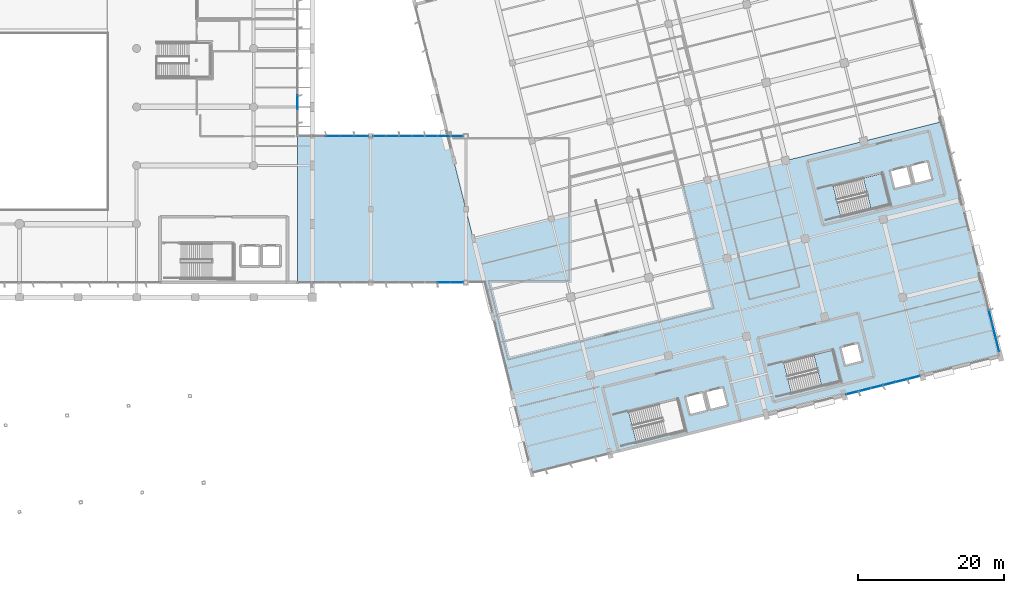
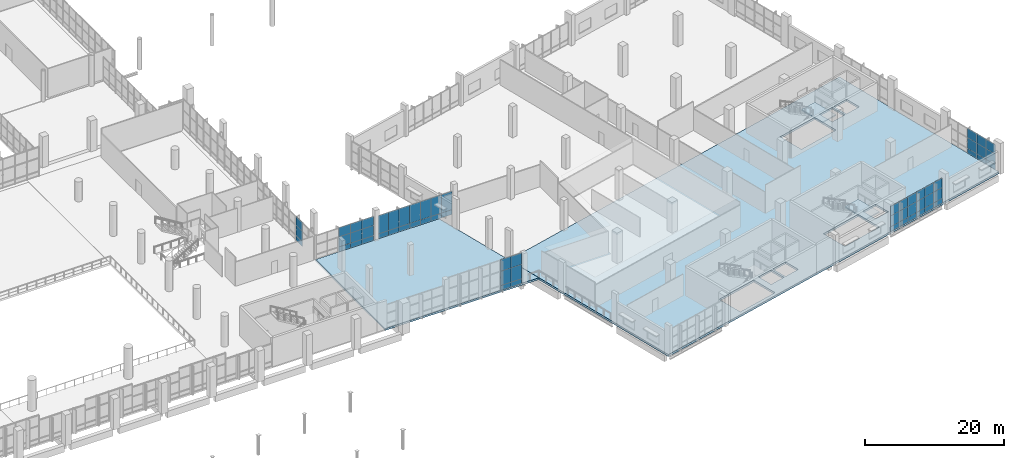
# One storey, part 128 of 176: 59 plates, 4 slabs, 8 elements without a shape of their own.
"""IFC4 building model written with IfcOpenShell, lengths in metres."""

import ifcopenshell
import ifcopenshell.guid

model = None  # the IFC model being written
_history = None  # IfcOwnerHistory: only IFC2X3 demands one
_inside = {}  # id of a spatial element -> (the spatial element, [elements in it])
_under = {}  # id of a project, library or spatial element -> (it, [spatial elements below it])
_declared = {}  # id of a project -> (the project, [libraries it declares])
_typed = {}  # id of a type object -> (the type object, [elements of that type])
_made_of = {}  # id of a material, layer set ... -> (it, [elements and type objects made of it])


def new_model(schema):
    """Start an empty IFC model of exactly this schema.

    Asked for "IFC4X3", IfcOpenShell would pick the latest addendum, in which some entities
    have other attributes; the version numbers below select the first issue.
    IFC2X3 requires an IfcOwnerHistory on every rooted entity: one is made here for all.
    """
    global model, _history
    if schema == "IFC4X3":
        model = ifcopenshell.file(schema_version=(4, 3, 0, 0))
    else:
        model = ifcopenshell.file(schema=schema)
    _inside.clear()
    _under.clear()
    _declared.clear()
    _typed.clear()
    _made_of.clear()
    _history = None
    if model.schema == "IFC2X3":
        org = make("IfcOrganization", Name="unknown")
        user = make(
            "IfcPersonAndOrganization",
            ThePerson=make("IfcPerson", FamilyName="unknown"),
            TheOrganization=org,
        )
        app = make(
            "IfcApplication",
            ApplicationDeveloper=org,
            Version="unknown",
            ApplicationFullName="unknown",
            ApplicationIdentifier="unknown",
        )
        _history = make(
            "IfcOwnerHistory",
            OwningUser=user,
            OwningApplication=app,
            ChangeAction="ADDED",
            CreationDate=0,
        )
    return model


def make(cls, **values):
    """One entity of the class cls with the attributes given. An attribute that is None is left unset."""
    return model.create_entity(
        cls, **{name: value for name, value in values.items() if value is not None}
    )


def rooted(cls, **values):
    """An entity with a GlobalId (a new one), such as an element, a storey or a relation."""
    return make(cls, GlobalId=ifcopenshell.guid.new(), OwnerHistory=_history, **values)


def si_unit(unit_type, name, prefix=None):
    """IfcSIUnit, for example si_unit("LENGTHUNIT", "METRE", prefix="MILLI")."""
    return make("IfcSIUnit", UnitType=unit_type, Prefix=prefix, Name=name)


def assignment(units):
    """IfcUnitAssignment: the units of a project."""
    return None if units is None else make("IfcUnitAssignment", Units=units)


def point(xyz):
    """IfcCartesianPoint."""
    return None if xyz is None else make("IfcCartesianPoint", Coordinates=xyz)


def direction(xyz):
    """IfcDirection."""
    return None if xyz is None else make("IfcDirection", DirectionRatios=xyz)


def frame(location, z_axis=None, x_axis=None):
    """IfcAxis2Placement3D, a coordinate frame: its origin and axes. An axis left out is left unset."""
    return make(
        "IfcAxis2Placement3D",
        Location=point(location),
        Axis=direction(z_axis),
        RefDirection=direction(x_axis),
    )


def frame_2d(location, x_axis=None):
    """IfcAxis2Placement2D, a coordinate frame in the plane: its origin and x axis."""
    return make(
        "IfcAxis2Placement2D", Location=point(location), RefDirection=direction(x_axis)
    )


def origin():
    """The frame at (0, 0, 0) with its axes left unset."""
    return frame((0.0, 0.0, 0.0))


def origin_2d():
    """The frame at (0, 0) in the plane with its x axis left unset."""
    return frame_2d((0.0, 0.0))


def place(relative_to, where):
    """IfcLocalPlacement: puts the frame where relative to a parent placement (None: the world)."""
    return make(
        "IfcLocalPlacement", PlacementRelTo=relative_to, RelativePlacement=where
    )


def context(
    kind, dimensions, precision=None, world=None, true_north=None, identifier=None
):
    """IfcGeometricRepresentationContext, for example the 3D "Model" context."""
    return make(
        "IfcGeometricRepresentationContext",
        ContextIdentifier=identifier,
        ContextType=kind,
        CoordinateSpaceDimension=dimensions,
        Precision=precision,
        WorldCoordinateSystem=world,
        TrueNorth=true_north,
    )


def subcontext(parent, identifier, kind, view, scale=None):
    """IfcGeometricRepresentationSubContext, for example "Body" below "Model"."""
    return make(
        "IfcGeometricRepresentationSubContext",
        ContextIdentifier=identifier,
        ContextType=kind,
        ParentContext=parent,
        TargetScale=scale,
        TargetView=view,
    )


def project(units=None, contexts=None):
    """IfcProject with its units and contexts."""
    return rooted(
        "IfcProject",
        Name="project",
        RepresentationContexts=contexts,
        UnitsInContext=assignment(units),
    )


def spatial(cls, under=None, at=None, **own):
    """A site, building, storey or space (cls), placed at a placement, below another one or the project."""
    s = rooted(cls, ObjectPlacement=at, **own)
    if under is not None:
        _under.setdefault(under.id(), (under, []))[1].append(s)
    return s


def polyline(points):
    """IfcPolyline through the points."""
    return make("IfcPolyline", Points=[point(p) for p in points])


def profile(cls, at=None, kind="AREA", **sizes):
    """A parametric profile (cls). Its sizes go by their IFC names, for example OverallWidth=200.0."""
    return make(cls, ProfileType=kind, Position=at, **sizes)


def rectangle(**sizes):
    """IfcRectangleProfileDef."""
    return profile("IfcRectangleProfileDef", **sizes)


def outline(outer, holes=None, kind="AREA"):
    """IfcArbitraryClosedProfileDef: a profile drawn as a closed curve; with holes, ...WithVoids."""
    if holes is None:
        return make("IfcArbitraryClosedProfileDef", ProfileType=kind, OuterCurve=outer)
    return make(
        "IfcArbitraryProfileDefWithVoids",
        ProfileType=kind,
        OuterCurve=outer,
        InnerCurves=holes,
    )


def extrude(swept, where, along, depth):
    """IfcExtrudedAreaSolid: the profile swept, set in the frame where, extruded along a direction by depth."""
    return make(
        "IfcExtrudedAreaSolid",
        SweptArea=swept,
        Position=where,
        ExtrudedDirection=direction(along),
        Depth=depth,
    )


def shape(context_of_items, identifier, shape_type, items):
    """IfcShapeRepresentation: the items that make up one representation, for example the "Body"."""
    return make(
        "IfcShapeRepresentation",
        ContextOfItems=context_of_items,
        RepresentationIdentifier=identifier,
        RepresentationType=shape_type,
        Items=items,
    )


def material(Name=None, Category=None):
    """IfcMaterial."""
    return make("IfcMaterial", Name=Name, Category=Category)


def layer(
    of_material, thickness, ventilated=None, Name=None, Category=None, Priority=None
):
    """IfcMaterialLayer: one layer of a wall or slab, of a material (None: an air gap)."""
    return make(
        "IfcMaterialLayer",
        Material=of_material,
        LayerThickness=thickness,
        IsVentilated=ventilated,
        Name=Name,
        Category=Category,
        Priority=Priority,
    )


def layer_set(layers, Name=None):
    """IfcMaterialLayerSet."""
    return make("IfcMaterialLayerSet", MaterialLayers=layers, LayerSetName=Name)


def made_of(thing, what):
    """Note that an element or type object is made of a material, layer set ...; save() writes the relation."""
    if what is not None:
        _made_of.setdefault(what.id(), (what, []))[1].append(thing)
    return thing


def type_object(cls, material=None, **own):
    """A type object (cls), such as IfcWallType, which elements share."""
    return made_of(rooted(cls, **own), material)


def element(
    cls,
    number,
    at=None,
    inside=None,
    cuts=None,
    type_object=None,
    material=None,
    context=None,
    identifier="Body",
    shape_type=None,
    held_by="IfcProductDefinitionShape",
    body=None,
    shapes=None,
    **own,
):
    """One element of the class cls, such as IfcWall. Its Tag is "e" and its number.

    at: its placement. inside: the storey or other place that contains it. cuts: it is an
    opening in that element (IfcRelVoidsElement). A single representation is given by context,
    identifier, shape_type and body (its items); several are given by shapes. held_by: the class
    of the entity that holds the representations. save() writes the other relations.
    """
    e = rooted(cls, Tag="e%d" % number, ObjectPlacement=at, **own)
    if body is not None:
        shapes = [shape(context, identifier, shape_type, body)]
    if shapes is not None:
        e.Representation = make(held_by, Representations=shapes)
    if inside is not None:
        _inside.setdefault(inside.id(), (inside, []))[1].append(e)
    if cuts is not None:
        rooted(
            "IfcRelVoidsElement", RelatingBuildingElement=cuts, RelatedOpeningElement=e
        )
    if type_object is not None:
        _typed.setdefault(type_object.id(), (type_object, []))[1].append(e)
    return made_of(e, material)


def aggregate(whole, parts):
    """IfcRelAggregates: a whole, such as a stair, and the parts it consists of."""
    return rooted("IfcRelAggregates", RelatingObject=whole, RelatedObjects=parts)


def save(model, path):
    """Write the relations noted so far, then the file.

    IfcRelAggregates (storeys below a building ...), IfcRelContainedInSpatialStructure (elements
    in a storey), IfcRelDefinesByType, IfcRelAssociatesMaterial and IfcRelDeclares: one each for
    every whole, place, type object, material and project.
    """
    for whole, parts in _under.values():
        aggregate(whole, parts)
    for where, things in _inside.values():
        rooted(
            "IfcRelContainedInSpatialStructure",
            RelatedElements=things,
            RelatingStructure=where,
        )
    for kind, things in _typed.values():
        rooted("IfcRelDefinesByType", RelatedObjects=things, RelatingType=kind)
    for what, things in _made_of.values():
        rooted("IfcRelAssociatesMaterial", RelatedObjects=things, RelatingMaterial=what)
    for by, libraries in _declared.values():
        rooted("IfcRelDeclares", RelatingContext=by, RelatedDefinitions=libraries)
    model.write(path)


model = new_model("IFC4")

# Units and contexts
model_context = context("Model", 3, precision=1e-05, world=origin(), true_north=direction((0.0, 1.0)))
body_context = subcontext(model_context, "Body", "Model", "MODEL_VIEW")
ifc_project = project(units=[si_unit("LENGTHUNIT", "METRE"), si_unit("AREAUNIT", "SQUARE_METRE"), si_unit("VOLUMEUNIT", "CUBIC_METRE"), si_unit("PLANEANGLEUNIT", "RADIAN"), si_unit("MASSUNIT", "GRAM", prefix="KILO")], contexts=[model_context])

# Site, building, storey
site_placement = place(None, origin())
site = spatial("IfcSite", under=ifc_project, at=site_placement, CompositionType="ELEMENT")
building_placement = place(site_placement, origin())
building = spatial("IfcBuilding", under=site, at=building_placement, Name="Khorjan Park Terminus", CompositionType="ELEMENT")
storey_placement = place(building_placement, frame((0.0, 0.0, 6.0)))
storey = spatial("IfcBuildingStorey", under=building, at=storey_placement, Name="L01", CompositionType="ELEMENT", Elevation=6.0)

# Curtain wall, plates
ifc_material_1 = material(Name="Anodized Bronze Aluminium", Category="aluminium")
ifc_layer_1 = layer(ifc_material_1, 0.22)
ifc_layer_set_1 = layer_set([ifc_layer_1], Name="Anodized Bronze Aluminium")
curtain_wall_type_1 = type_object("IfcCurtainWallType", Name="CW-OPS-B", PredefinedType="NOTDEFINED", material=ifc_layer_set_1)
curtain_wall_1_placement = place(storey_placement, origin())
curtain_wall_1 = element("IfcCurtainWall", 1, at=curtain_wall_1_placement, inside=storey, type_object=curtain_wall_type_1, Name="Unitized curtain wall CW-B (CW-V5L-N-L01-1)", PredefinedType="NOTDEFINED")
ifc_material_2 = material(Name="Acoustic Laminated Solar Glazing", Category="glass")
ifc_layer_2 = layer(ifc_material_2, 0.036)
ifc_layer_set_2 = layer_set([ifc_layer_2], Name="Acoustic Laminated Solar Glazing")
plate_type_1 = type_object("IfcPlateType", Name="GL-VIS-36", PredefinedType="CURTAIN_PANEL", material=ifc_layer_set_2)
plate_1_placement = place(storey_placement, frame((142.6805, 48.0, 0.85), z_axis=(0.0, 0.0, 1.0), x_axis=(-1.0, 0.0, 0.0)))
plate_1 = element("IfcPlate", 2, at=plate_1_placement, type_object=plate_type_1, Name="Curtain-wall panel VP-36 (CW-V5L-N-L01-1-0-2)", PredefinedType="CURTAIN_PANEL", context=body_context, shape_type="SweptSolid", body=[
    extrude(rectangle(XDim=1.929, YDim=0.036, at=origin_2d()), origin(), (0.0, 0.0, 1.0), 1.7695),
])
plate_2_placement = place(storey_placement, frame((142.6805, 48.0, 2.6196), z_axis=(0.0, 0.0, 1.0), x_axis=(-1.0, 0.0, 0.0)))
plate_2 = element("IfcPlate", 3, at=plate_2_placement, type_object=plate_type_1, Name="Curtain-wall panel VP-36 (CW-V5L-N-L01-1-0-3)", PredefinedType="CURTAIN_PANEL", context=body_context, shape_type="SweptSolid", body=[
    extrude(rectangle(XDim=1.929, YDim=0.036, at=origin_2d()), origin(), (0.0, 0.0, 1.0), 1.6155),
])
plate_3_placement = place(storey_placement, frame((140.7515, 48.0, 0.85), z_axis=(0.0, 0.0, 1.0), x_axis=(-1.0, 0.0, 0.0)))
plate_3 = element("IfcPlate", 4, at=plate_3_placement, type_object=plate_type_1, Name="Curtain-wall panel VP-36 (CW-V5L-N-L01-1-1-2)", PredefinedType="CURTAIN_PANEL", context=body_context, shape_type="SweptSolid", body=[
    extrude(rectangle(XDim=1.929, YDim=0.036, at=origin_2d()), origin(), (0.0, 0.0, 1.0), 1.7695),
])
plate_4_placement = place(storey_placement, frame((140.7515, 48.0, 2.6196), z_axis=(0.0, 0.0, 1.0), x_axis=(-1.0, 0.0, 0.0)))
plate_4 = element("IfcPlate", 5, at=plate_4_placement, type_object=plate_type_1, Name="Curtain-wall panel VP-36 (CW-V5L-N-L01-1-1-3)", PredefinedType="CURTAIN_PANEL", context=body_context, shape_type="SweptSolid", body=[
    extrude(rectangle(XDim=1.929, YDim=0.036, at=origin_2d()), origin(), (0.0, 0.0, 1.0), 1.6155),
])
plate_5_placement = place(storey_placement, frame((138.8225, 48.0, 0.85), z_axis=(0.0, 0.0, 1.0), x_axis=(-1.0, 0.0, 0.0)))
plate_5 = element("IfcPlate", 6, at=plate_5_placement, type_object=plate_type_1, Name="Curtain-wall panel VP-36 (CW-V5L-N-L01-1-2-2)", PredefinedType="CURTAIN_PANEL", context=body_context, shape_type="SweptSolid", body=[
    extrude(rectangle(XDim=1.929, YDim=0.036, at=origin_2d()), origin(), (0.0, 0.0, 1.0), 1.7695),
])
plate_6_placement = place(storey_placement, frame((138.8225, 48.0, 2.6196), z_axis=(0.0, 0.0, 1.0), x_axis=(-1.0, 0.0, 0.0)))
plate_6 = element("IfcPlate", 7, at=plate_6_placement, type_object=plate_type_1, Name="Curtain-wall panel VP-36 (CW-V5L-N-L01-1-2-3)", PredefinedType="CURTAIN_PANEL", context=body_context, shape_type="SweptSolid", body=[
    extrude(rectangle(XDim=1.929, YDim=0.036, at=origin_2d()), origin(), (0.0, 0.0, 1.0), 1.6155),
])

curtain_wall_2_placement = place(storey_placement, origin())
curtain_wall_2 = element("IfcCurtainWall", 8, at=curtain_wall_2_placement, inside=storey, type_object=curtain_wall_type_1, Name="Unitized curtain wall CW-B (CW-V5L-S-L01-2)", PredefinedType="NOTDEFINED")
plate_7_placement = place(storey_placement, frame((154.0114, 28.0, 0.85), z_axis=(0.0, 0.0, 1.0), x_axis=(1.0, 0.0, 0.0)))
plate_7 = element("IfcPlate", 9, at=plate_7_placement, type_object=plate_type_1, Name="Curtain-wall panel VP-36 (CW-V5L-S-L01-2-5-2)", PredefinedType="CURTAIN_PANEL", context=body_context, shape_type="SweptSolid", body=[
    extrude(rectangle(XDim=1.7557, YDim=0.036, at=origin_2d()), origin(), (0.0, 0.0, 1.0), 2.498),
])
plate_8_placement = place(storey_placement, frame((154.0114, 28.0, 3.348), z_axis=(0.0, 0.0, 1.0), x_axis=(1.0, 0.0, 0.0)))
plate_8 = element("IfcPlate", 10, at=plate_8_placement, type_object=plate_type_1, Name="Curtain-wall panel VP-36 (CW-V5L-S-L01-2-5-3)", PredefinedType="CURTAIN_PANEL", context=body_context, shape_type="SweptSolid", body=[
    extrude(rectangle(XDim=1.7557, YDim=0.036, at=origin_2d()), origin(), (0.0, 0.0, 1.0), 2.062),
])
plate_9_placement = place(storey_placement, frame((155.7672, 28.0, 0.85), z_axis=(0.0, 0.0, 1.0), x_axis=(1.0, 0.0, 0.0)))
plate_9 = element("IfcPlate", 11, at=plate_9_placement, type_object=plate_type_1, Name="Curtain-wall panel VP-36 (CW-V5L-S-L01-2-6-2)", PredefinedType="CURTAIN_PANEL", context=body_context, shape_type="SweptSolid", body=[
    extrude(rectangle(XDim=1.7557, YDim=0.036, at=origin_2d()), origin(), (0.0, 0.0, 1.0), 2.498),
])
plate_10_placement = place(storey_placement, frame((155.7672, 28.0, 3.348), z_axis=(0.0, 0.0, 1.0), x_axis=(1.0, 0.0, 0.0)))
plate_10 = element("IfcPlate", 12, at=plate_10_placement, type_object=plate_type_1, Name="Curtain-wall panel VP-36 (CW-V5L-S-L01-2-6-3)", PredefinedType="CURTAIN_PANEL", context=body_context, shape_type="SweptSolid", body=[
    extrude(rectangle(XDim=1.7557, YDim=0.036, at=origin_2d()), origin(), (0.0, 0.0, 1.0), 2.062),
])

curtain_wall_3_placement = place(storey_placement, origin())
curtain_wall_3 = element("IfcCurtainWall", 13, at=curtain_wall_3_placement, inside=storey, type_object=curtain_wall_type_1, Name="Unitized curtain wall CW-B (CW-V5L-N-L01-2)", PredefinedType="NOTDEFINED")
plate_11_placement = place(storey_placement, frame((155.7672, 48.0, 0.85), z_axis=(0.0, 0.0, 1.0), x_axis=(-1.0, 0.0, 0.0)))
plate_11 = element("IfcPlate", 14, at=plate_11_placement, type_object=plate_type_1, Name="Curtain-wall panel VP-36 (CW-V5L-N-L01-2-0-2)", PredefinedType="CURTAIN_PANEL", context=body_context, shape_type="SweptSolid", body=[
    extrude(rectangle(XDim=1.7557, YDim=0.036, at=origin_2d()), origin(), (0.0, 0.0, 1.0), 3.215),
])
plate_12_placement = place(storey_placement, frame((154.0114, 48.0, 0.85), z_axis=(0.0, 0.0, 1.0), x_axis=(-1.0, 0.0, 0.0)))
plate_12 = element("IfcPlate", 15, at=plate_12_placement, type_object=plate_type_1, Name="Curtain-wall panel VP-36 (CW-V5L-N-L01-2-1-2)", PredefinedType="CURTAIN_PANEL", context=body_context, shape_type="SweptSolid", body=[
    extrude(rectangle(XDim=1.7557, YDim=0.036, at=origin_2d()), origin(), (0.0, 0.0, 1.0), 3.215),
])
plate_13_placement = place(storey_placement, frame((152.2558, 48.0, 0.85), z_axis=(0.0, 0.0, 1.0), x_axis=(-1.0, 0.0, 0.0)))
plate_13 = element("IfcPlate", 16, at=plate_13_placement, type_object=plate_type_1, Name="Curtain-wall panel VP-36 (CW-V5L-N-L01-2-2-2)", PredefinedType="CURTAIN_PANEL", context=body_context, shape_type="SweptSolid", body=[
    extrude(rectangle(XDim=1.7557, YDim=0.036, at=origin_2d()), origin(), (0.0, 0.0, 1.0), 3.215),
])
plate_14_placement = place(storey_placement, frame((150.5, 48.0, 0.85), z_axis=(0.0, 0.0, 1.0), x_axis=(-1.0, 0.0, 0.0)))
plate_14 = element("IfcPlate", 17, at=plate_14_placement, type_object=plate_type_1, Name="Curtain-wall panel VP-36 (CW-V5L-N-L01-2-3-2)", PredefinedType="CURTAIN_PANEL", context=body_context, shape_type="SweptSolid", body=[
    extrude(rectangle(XDim=1.7557, YDim=0.036, at=origin_2d()), origin(), (0.0, 0.0, 1.0), 3.215),
])
plate_15_placement = place(storey_placement, frame((148.7442, 48.0, 0.85), z_axis=(0.0, 0.0, 1.0), x_axis=(-1.0, 0.0, 0.0)))
plate_15 = element("IfcPlate", 18, at=plate_15_placement, type_object=plate_type_1, Name="Curtain-wall panel VP-36 (CW-V5L-N-L01-2-4-2)", PredefinedType="CURTAIN_PANEL", context=body_context, shape_type="SweptSolid", body=[
    extrude(rectangle(XDim=1.7557, YDim=0.036, at=origin_2d()), origin(), (0.0, 0.0, 1.0), 3.215),
])
plate_16_placement = place(storey_placement, frame((146.9886, 48.0, 0.85), z_axis=(0.0, 0.0, 1.0), x_axis=(-1.0, 0.0, 0.0)))
plate_16 = element("IfcPlate", 19, at=plate_16_placement, type_object=plate_type_1, Name="Curtain-wall panel VP-36 (CW-V5L-N-L01-2-5-2)", PredefinedType="CURTAIN_PANEL", context=body_context, shape_type="SweptSolid", body=[
    extrude(rectangle(XDim=1.7557, YDim=0.036, at=origin_2d()), origin(), (0.0, 0.0, 1.0), 3.215),
])
plate_17_placement = place(storey_placement, frame((145.2328, 48.0, 0.85), z_axis=(0.0, 0.0, 1.0), x_axis=(-1.0, 0.0, 0.0)))
plate_17 = element("IfcPlate", 20, at=plate_17_placement, type_object=plate_type_1, Name="Curtain-wall panel VP-36 (CW-V5L-N-L01-2-6-2)", PredefinedType="CURTAIN_PANEL", context=body_context, shape_type="SweptSolid", body=[
    extrude(rectangle(XDim=1.7557, YDim=0.036, at=origin_2d()), origin(), (0.0, 0.0, 1.0), 3.215),
])

curtain_wall_4_placement = place(storey_placement, origin())
curtain_wall_4 = element("IfcCurtainWall", 21, at=curtain_wall_4_placement, inside=storey, type_object=curtain_wall_type_1, Name="Unitized curtain wall CW-B (CW-V5-S-L01-B05)", PredefinedType="NOTDEFINED")
plate_18_placement = place(storey_placement, frame((209.8493, 12.933, 0.85), z_axis=(0.0, 0.0, 1.0), x_axis=(0.970298180833, 0.241912050695, 0.0)))
plate_18 = element("IfcPlate", 22, at=plate_18_placement, type_object=plate_type_1, Name="Curtain-wall panel VP-36 (CW-V5-S-L01-B05-0-2)", PredefinedType="CURTAIN_PANEL", context=body_context, shape_type="SweptSolid", body=[
    extrude(rectangle(XDim=1.7233, YDim=0.036, at=origin_2d()), origin(), (0.0, 0.0, 1.0), 1.8935),
])
plate_19_placement = place(storey_placement, frame((209.8493, 12.933, 2.7434), z_axis=(0.0, 0.0, 1.0), x_axis=(0.970298180833, 0.241912050695, 0.0)))
plate_19 = element("IfcPlate", 23, at=plate_19_placement, type_object=plate_type_1, Name="Curtain-wall panel VP-36 (CW-V5-S-L01-B05-0-3)", PredefinedType="CURTAIN_PANEL", context=body_context, shape_type="SweptSolid", body=[
    extrude(rectangle(XDim=1.7233, YDim=0.036, at=origin_2d()), origin(), (0.0, 0.0, 1.0), 1.6915),
])
plate_20_placement = place(storey_placement, frame((211.5214, 13.3498, 0.85), z_axis=(0.0, 0.0, 1.0), x_axis=(0.970298180833, 0.241912050695, 0.0)))
plate_20 = element("IfcPlate", 24, at=plate_20_placement, type_object=plate_type_1, Name="Curtain-wall panel VP-36 (CW-V5-S-L01-B05-1-2)", PredefinedType="CURTAIN_PANEL", context=body_context, shape_type="SweptSolid", body=[
    extrude(rectangle(XDim=1.7233, YDim=0.036, at=origin_2d()), origin(), (0.0, 0.0, 1.0), 1.8935),
])
plate_21_placement = place(storey_placement, frame((211.5214, 13.3498, 2.7434), z_axis=(0.0, 0.0, 1.0), x_axis=(0.970298180833, 0.241912050695, 0.0)))
plate_21 = element("IfcPlate", 25, at=plate_21_placement, type_object=plate_type_1, Name="Curtain-wall panel VP-36 (CW-V5-S-L01-B05-1-3)", PredefinedType="CURTAIN_PANEL", context=body_context, shape_type="SweptSolid", body=[
    extrude(rectangle(XDim=1.7233, YDim=0.036, at=origin_2d()), origin(), (0.0, 0.0, 1.0), 1.6915),
])
plate_22_placement = place(storey_placement, frame((213.1935, 13.7667, 0.85), z_axis=(0.0, 0.0, 1.0), x_axis=(0.970298180833, 0.241912050695, 0.0)))
plate_22 = element("IfcPlate", 26, at=plate_22_placement, type_object=plate_type_1, Name="Curtain-wall panel VP-36 (CW-V5-S-L01-B05-2-2)", PredefinedType="CURTAIN_PANEL", context=body_context, shape_type="SweptSolid", body=[
    extrude(rectangle(XDim=1.7233, YDim=0.036, at=origin_2d()), origin(), (0.0, 0.0, 1.0), 1.8935),
])
plate_23_placement = place(storey_placement, frame((213.1935, 13.7667, 2.7434), z_axis=(0.0, 0.0, 1.0), x_axis=(0.970298180833, 0.241912050695, 0.0)))
plate_23 = element("IfcPlate", 27, at=plate_23_placement, type_object=plate_type_1, Name="Curtain-wall panel VP-36 (CW-V5-S-L01-B05-2-3)", PredefinedType="CURTAIN_PANEL", context=body_context, shape_type="SweptSolid", body=[
    extrude(rectangle(XDim=1.7233, YDim=0.036, at=origin_2d()), origin(), (0.0, 0.0, 1.0), 1.6915),
])
plate_24_placement = place(storey_placement, frame((214.8656, 14.1836, 0.85), z_axis=(0.0, 0.0, 1.0), x_axis=(0.970298180833, 0.241912050695, 0.0)))
plate_24 = element("IfcPlate", 28, at=plate_24_placement, type_object=plate_type_1, Name="Curtain-wall panel VP-36 (CW-V5-S-L01-B05-3-2)", PredefinedType="CURTAIN_PANEL", context=body_context, shape_type="SweptSolid", body=[
    extrude(rectangle(XDim=1.7233, YDim=0.036, at=origin_2d()), origin(), (0.0, 0.0, 1.0), 1.8935),
])
plate_25_placement = place(storey_placement, frame((214.8656, 14.1836, 2.7434), z_axis=(0.0, 0.0, 1.0), x_axis=(0.970298180833, 0.241912050695, 0.0)))
plate_25 = element("IfcPlate", 29, at=plate_25_placement, type_object=plate_type_1, Name="Curtain-wall panel VP-36 (CW-V5-S-L01-B05-3-3)", PredefinedType="CURTAIN_PANEL", context=body_context, shape_type="SweptSolid", body=[
    extrude(rectangle(XDim=1.7233, YDim=0.036, at=origin_2d()), origin(), (0.0, 0.0, 1.0), 1.6915),
])
plate_26_placement = place(storey_placement, frame((216.5377, 14.6004, 0.85), z_axis=(0.0, 0.0, 1.0), x_axis=(0.970298180833, 0.241912050695, 0.0)))
plate_26 = element("IfcPlate", 30, at=plate_26_placement, type_object=plate_type_1, Name="Curtain-wall panel VP-36 (CW-V5-S-L01-B05-4-2)", PredefinedType="CURTAIN_PANEL", context=body_context, shape_type="SweptSolid", body=[
    extrude(rectangle(XDim=1.7233, YDim=0.036, at=origin_2d()), origin(), (0.0, 0.0, 1.0), 1.8935),
])
plate_27_placement = place(storey_placement, frame((216.5377, 14.6004, 2.7434), z_axis=(0.0, 0.0, 1.0), x_axis=(0.970298180833, 0.241912050695, 0.0)))
plate_27 = element("IfcPlate", 31, at=plate_27_placement, type_object=plate_type_1, Name="Curtain-wall panel VP-36 (CW-V5-S-L01-B05-4-3)", PredefinedType="CURTAIN_PANEL", context=body_context, shape_type="SweptSolid", body=[
    extrude(rectangle(XDim=1.7233, YDim=0.036, at=origin_2d()), origin(), (0.0, 0.0, 1.0), 1.6915),
])
plate_28_placement = place(storey_placement, frame((218.2098, 15.0174, 0.85), z_axis=(0.0, 0.0, 1.0), x_axis=(0.970298180833, 0.241912050695, 0.0)))
plate_28 = element("IfcPlate", 32, at=plate_28_placement, type_object=plate_type_1, Name="Curtain-wall panel VP-36 (CW-V5-S-L01-B05-5-2)", PredefinedType="CURTAIN_PANEL", context=body_context, shape_type="SweptSolid", body=[
    extrude(rectangle(XDim=1.7233, YDim=0.036, at=origin_2d()), origin(), (0.0, 0.0, 1.0), 1.8935),
])
plate_29_placement = place(storey_placement, frame((218.2098, 15.0174, 2.7434), z_axis=(0.0, 0.0, 1.0), x_axis=(0.970298180833, 0.241912050695, 0.0)))
plate_29 = element("IfcPlate", 33, at=plate_29_placement, type_object=plate_type_1, Name="Curtain-wall panel VP-36 (CW-V5-S-L01-B05-5-3)", PredefinedType="CURTAIN_PANEL", context=body_context, shape_type="SweptSolid", body=[
    extrude(rectangle(XDim=1.7233, YDim=0.036, at=origin_2d()), origin(), (0.0, 0.0, 1.0), 1.6915),
])

curtain_wall_5_placement = place(storey_placement, origin())
curtain_wall_5 = element("IfcCurtainWall", 34, at=curtain_wall_5_placement, inside=storey, type_object=curtain_wall_type_1, Name="Unitized curtain wall CW-B (CW-V5-E-L01-B01)", PredefinedType="NOTDEFINED")
plate_30_placement = place(storey_placement, frame((229.6418, 19.562, 0.8499), z_axis=(0.0, 0.0, 1.0), x_axis=(-0.241920488516, 0.9702960771, 0.0)))
plate_30 = element("IfcPlate", 35, at=plate_30_placement, type_object=plate_type_1, Name="Curtain-wall panel VP-36 (CW-V5-E-L01-B01-0-2)", PredefinedType="CURTAIN_PANEL", context=body_context, shape_type="SweptSolid", body=[
    extrude(rectangle(XDim=1.928, YDim=0.036, at=origin_2d()), origin(), (0.0, 0.0, 1.0), 1.8687),
])
plate_31_placement = place(storey_placement, frame((229.6418, 19.562, 2.7188), z_axis=(0.0, 0.0, 1.0), x_axis=(-0.241920488516, 0.9702960771, 0.0)))
plate_31 = element("IfcPlate", 36, at=plate_31_placement, type_object=plate_type_1, Name="Curtain-wall panel VP-36 (CW-V5-E-L01-B01-0-3)", PredefinedType="CURTAIN_PANEL", context=body_context, shape_type="SweptSolid", body=[
    extrude(rectangle(XDim=1.928, YDim=0.036, at=origin_2d()), origin(), (0.0, 0.0, 1.0), 1.6763),
])
plate_32_placement = place(storey_placement, frame((229.1754, 21.4327, 0.8499), z_axis=(0.0, 0.0, 1.0), x_axis=(-0.241920488516, 0.9702960771, 0.0)))
plate_32 = element("IfcPlate", 37, at=plate_32_placement, type_object=plate_type_1, Name="Curtain-wall panel VP-36 (CW-V5-E-L01-B01-1-2)", PredefinedType="CURTAIN_PANEL", context=body_context, shape_type="SweptSolid", body=[
    extrude(rectangle(XDim=1.928, YDim=0.036, at=origin_2d()), origin(), (0.0, 0.0, 1.0), 1.8687),
])
plate_33_placement = place(storey_placement, frame((229.1754, 21.4327, 2.7188), z_axis=(0.0, 0.0, 1.0), x_axis=(-0.241920488516, 0.9702960771, 0.0)))
plate_33 = element("IfcPlate", 38, at=plate_33_placement, type_object=plate_type_1, Name="Curtain-wall panel VP-36 (CW-V5-E-L01-B01-1-3)", PredefinedType="CURTAIN_PANEL", context=body_context, shape_type="SweptSolid", body=[
    extrude(rectangle(XDim=1.928, YDim=0.036, at=origin_2d()), origin(), (0.0, 0.0, 1.0), 1.6763),
])
plate_34_placement = place(storey_placement, frame((228.709, 23.3035, 0.8499), z_axis=(0.0, 0.0, 1.0), x_axis=(-0.241920488516, 0.9702960771, 0.0)))
plate_34 = element("IfcPlate", 39, at=plate_34_placement, type_object=plate_type_1, Name="Curtain-wall panel VP-36 (CW-V5-E-L01-B01-2-2)", PredefinedType="CURTAIN_PANEL", context=body_context, shape_type="SweptSolid", body=[
    extrude(rectangle(XDim=1.928, YDim=0.036, at=origin_2d()), origin(), (0.0, 0.0, 1.0), 1.8687),
])
plate_35_placement = place(storey_placement, frame((228.709, 23.3035, 2.7188), z_axis=(0.0, 0.0, 1.0), x_axis=(-0.241920488516, 0.9702960771, 0.0)))
plate_35 = element("IfcPlate", 40, at=plate_35_placement, type_object=plate_type_1, Name="Curtain-wall panel VP-36 (CW-V5-E-L01-B01-2-3)", PredefinedType="CURTAIN_PANEL", context=body_context, shape_type="SweptSolid", body=[
    extrude(rectangle(XDim=1.928, YDim=0.036, at=origin_2d()), origin(), (0.0, 0.0, 1.0), 1.6763),
])

ifc_layer_3 = layer(ifc_material_1, 0.22)
ifc_layer_set_3 = layer_set([ifc_layer_3], Name="Anodized Bronze Aluminium")
curtain_wall_type_2 = type_object("IfcCurtainWallType", Name="CW-CONC-A", PredefinedType="NOTDEFINED", material=ifc_layer_set_3)
curtain_wall_6_placement = place(storey_placement, origin())
curtain_wall_6 = element("IfcCurtainWall", 41, at=curtain_wall_6_placement, inside=storey, type_object=curtain_wall_type_2, Name="Unitized curtain wall CW-A (CW-V2-E-L01-02)", PredefinedType="NOTDEFINED")
ifc_material_3 = material(Name="Triple Low-E High-Selectivity Glazing", Category="glass")
ifc_layer_4 = layer(ifc_material_3, 0.04)
ifc_layer_set_4 = layer_set([ifc_layer_4], Name="Triple Low-E High-Selectivity Glazing")
plate_type_2 = type_object("IfcPlateType", Name="GL-VIS-40", PredefinedType="CURTAIN_PANEL", material=ifc_layer_set_4)
plate_36_placement = place(storey_placement, frame((134.0, 52.6428, 0.85), z_axis=(0.0, 0.0, 1.0), x_axis=(0.0, 1.0, 0.0)))
plate_36 = element("IfcPlate", 42, at=plate_36_placement, type_object=plate_type_2, Name="Curtain-wall panel VP-40 (CW-V2-E-L01-02-2-2)", PredefinedType="CURTAIN_PANEL", context=body_context, shape_type="SweptSolid", body=[
    extrude(rectangle(XDim=1.8571, YDim=0.04, at=origin_2d()), origin(), (0.0, 0.0, 1.0), 1.7633),
])
plate_37_placement = place(storey_placement, frame((134.0, 52.6428, 2.6134), z_axis=(0.0, 0.0, 1.0), x_axis=(0.0, 1.0, 0.0)))
plate_37 = element("IfcPlate", 43, at=plate_37_placement, type_object=plate_type_2, Name="Curtain-wall panel VP-40 (CW-V2-E-L01-02-2-3)", PredefinedType="CURTAIN_PANEL", context=body_context, shape_type="SweptSolid", body=[
    extrude(rectangle(XDim=1.8571, YDim=0.04, at=origin_2d()), origin(), (0.0, 0.0, 1.0), 1.6117),
])

# Slabs
ifc_material_4 = material(Name="Concrete C40/50", Category="concrete")
ifc_layer_5 = layer(ifc_material_4, 0.33)
ifc_layer_set_5 = layer_set([ifc_layer_5], Name="Concrete C40/50")
slab_type_1 = type_object("IfcSlabType", Name="SL-FLR-330", PredefinedType="FLOOR", material=ifc_layer_set_5)
slab_1_placement = place(storey_placement, frame((0.0, 0.0, -0.33)))
element("IfcSlab", 44, at=slab_1_placement, inside=storey, type_object=slab_type_1, Name="Structural floor slab FS-33 (L01-V2V5-LNK)", PredefinedType="FLOOR", context=body_context, shape_type="SweptSolid", body=[
    extrude(outline(polyline([(134.0, 48.0), (154.5206, 48.0), (159.5072, 28.0), (134.0, 28.0), (134.0, 48.0)])), origin(), (0.0, 0.0, 1.0), 0.33),
])
ifc_layer_6 = layer(ifc_material_4, 0.36)
ifc_layer_set_6 = layer_set([ifc_layer_6], Name="Concrete C40/50")
slab_type_2 = type_object("IfcSlabType", Name="SL-FLR-360", PredefinedType="FLOOR", material=ifc_layer_set_6)
slab_2_placement = place(storey_placement, frame((0.0, 0.0, -0.36)))
element("IfcSlab", 45, at=slab_2_placement, inside=storey, type_object=slab_type_2, Name="Structural floor slab FS-36 (L01-V5-S)", PredefinedType="FLOOR", context=body_context, shape_type="SweptSolid", body=[
    extrude(outline(polyline([(158.0166, 34.0198), (222.0561, 49.9866), (230.0395, 17.9668), (166.0, 2.0), (158.0166, 34.0198)]), holes=[polyline([(180.3001, 6.1322), (187.0194, 7.8075), (185.9646, 12.038), (179.2453, 10.3627), (180.3001, 6.1322)]), polyline([(187.5882, 9.8663), (190.0528, 10.4808), (189.4141, 13.0423), (186.9495, 12.4279), (187.5882, 9.8663)]), polyline([(190.3633, 10.5582), (192.8278, 11.1727), (192.1891, 13.7342), (189.7246, 13.1198), (190.3633, 10.5582)]), polyline([(201.502, 12.8613), (208.2213, 14.5366), (207.1665, 18.7671), (200.4472, 17.0918), (201.502, 12.8613)]), polyline([(208.7901, 16.5954), (211.2547, 17.2099), (210.616, 19.7714), (208.1514, 19.157), (208.7901, 16.5954)]), polyline([(208.2598, 37.0136), (214.9791, 38.6889), (213.9243, 42.9194), (207.205, 41.2441), (208.2598, 37.0136)]), polyline([(215.5479, 40.7477), (218.0125, 41.3622), (217.3738, 43.9237), (214.9092, 43.3093), (215.5479, 40.7477)]), polyline([(218.323, 41.4396), (220.7875, 42.0541), (220.1488, 44.6156), (217.6843, 44.0012), (218.323, 41.4396)])]), origin(), (0.0, 0.0, 1.0), 0.36),
])

# Stair, slab
stair_type = type_object("IfcStairType", Name="STR-CORE-200", PredefinedType="HALF_TURN_STAIR", material=ifc_material_4)
stair_1_placement = place(storey_placement, origin())
stair_1 = element("IfcStair", 46, at=stair_1_placement, inside=storey, type_object=stair_type, Name="L01 Operations North-East Firefighting Core exit stair ST-04", PredefinedType="HALF_TURN_STAIR")
ifc_layer_7 = layer(ifc_material_4, 0.2)
ifc_layer_set_7 = layer_set([ifc_layer_7], Name="Concrete C40/50")
slab_type_3 = type_object("IfcSlabType", Name="SL-LND-200", PredefinedType="LANDING", material=ifc_layer_set_7)
slab_3_placement = place(storey_placement, frame((0.0, 0.0, 2.5)))
slab_3 = element("IfcSlab", 47, at=slab_3_placement, type_object=slab_type_3, Name="ST-04 landing 1", PredefinedType="LANDING", context=body_context, shape_type="SweptSolid", body=[
    extrude(outline(polyline([(212.3787, 38.0405), (214.9791, 38.6889), (213.9243, 42.9194), (211.3239, 42.271), (212.3787, 38.0405)])), origin(), (0.0, 0.0, 1.0), 0.2),
])
aggregate(stair_1, [slab_3])

stair_2_placement = place(storey_placement, origin())
stair_2 = element("IfcStair", 48, at=stair_2_placement, inside=storey, type_object=stair_type, Name="L01 Operations Central Command Core exit stair ST-05", PredefinedType="HALF_TURN_STAIR")
slab_4_placement = place(storey_placement, frame((0.0, 0.0, 2.5)))
slab_4 = element("IfcSlab", 49, at=slab_4_placement, type_object=slab_type_3, Name="ST-05 landing 1", PredefinedType="LANDING", context=body_context, shape_type="SweptSolid", body=[
    extrude(outline(polyline([(205.6209, 13.8882), (208.2213, 14.5366), (207.1665, 18.7671), (204.5661, 18.1187), (205.6209, 13.8882)])), origin(), (0.0, 0.0, 1.0), 0.2),
])
aggregate(stair_2, [slab_4])

# Plate
ifc_material_5 = material(Name="Insulated Anodized Bronze Spandrel Panel")
ifc_layer_8 = layer(ifc_material_5, 0.045)
ifc_layer_set_8 = layer_set([ifc_layer_8], Name="Insulated Anodized Bronze Spandrel Panel")
plate_type_3 = type_object("IfcPlateType", Name="SP-AL-45", PredefinedType="CURTAIN_PANEL", material=ifc_layer_set_8)
plate_38_placement = place(storey_placement, frame((134.0, 52.6428, -0.01), z_axis=(0.0, 0.0, 1.0), x_axis=(0.0, 1.0, 0.0)))
plate_38 = element("IfcPlate", 50, at=plate_38_placement, type_object=plate_type_3, Name="Curtain-wall panel SP-A45 (CW-V2-E-L01-02-2-1)", PredefinedType="CURTAIN_PANEL", context=body_context, shape_type="SweptSolid", body=[
    extrude(rectangle(XDim=1.8571, YDim=0.045, at=origin_2d()), origin(), (0.0, 0.0, 1.0), 0.86),
])

aggregate(curtain_wall_6, [plate_38, plate_36, plate_37])

plate_39_placement = place(storey_placement, frame((142.6805, 48.0, -0.01), z_axis=(0.0, 0.0, 1.0), x_axis=(-1.0, 0.0, 0.0)))
plate_39 = element("IfcPlate", 51, at=plate_39_placement, type_object=plate_type_3, Name="Curtain-wall panel SP-A45 (CW-V5L-N-L01-1-0-1)", PredefinedType="CURTAIN_PANEL", context=body_context, shape_type="SweptSolid", body=[
    extrude(rectangle(XDim=1.929, YDim=0.045, at=origin_2d()), origin(), (0.0, 0.0, 1.0), 0.86),
])

plate_40_placement = place(storey_placement, frame((140.7515, 48.0, -0.01), z_axis=(0.0, 0.0, 1.0), x_axis=(-1.0, 0.0, 0.0)))
plate_40 = element("IfcPlate", 52, at=plate_40_placement, type_object=plate_type_3, Name="Curtain-wall panel SP-A45 (CW-V5L-N-L01-1-1-1)", PredefinedType="CURTAIN_PANEL", context=body_context, shape_type="SweptSolid", body=[
    extrude(rectangle(XDim=1.929, YDim=0.045, at=origin_2d()), origin(), (0.0, 0.0, 1.0), 0.86),
])

plate_41_placement = place(storey_placement, frame((138.8225, 48.0, -0.01), z_axis=(0.0, 0.0, 1.0), x_axis=(-1.0, 0.0, 0.0)))
plate_41 = element("IfcPlate", 53, at=plate_41_placement, type_object=plate_type_3, Name="Curtain-wall panel SP-A45 (CW-V5L-N-L01-1-2-1)", PredefinedType="CURTAIN_PANEL", context=body_context, shape_type="SweptSolid", body=[
    extrude(rectangle(XDim=1.929, YDim=0.045, at=origin_2d()), origin(), (0.0, 0.0, 1.0), 0.86),
])

aggregate(curtain_wall_1, [plate_39, plate_1, plate_2, plate_40, plate_3, plate_4, plate_41, plate_5, plate_6])

plate_42_placement = place(storey_placement, frame((154.0114, 28.0, -0.01), z_axis=(0.0, 0.0, 1.0), x_axis=(1.0, 0.0, 0.0)))
plate_42 = element("IfcPlate", 54, at=plate_42_placement, type_object=plate_type_3, Name="Curtain-wall panel SP-A45 (CW-V5L-S-L01-2-5-1)", PredefinedType="CURTAIN_PANEL", context=body_context, shape_type="SweptSolid", body=[
    extrude(rectangle(XDim=1.7557, YDim=0.045, at=origin_2d()), origin(), (0.0, 0.0, 1.0), 0.86),
])

plate_43_placement = place(storey_placement, frame((155.7672, 28.0, -0.01), z_axis=(0.0, 0.0, 1.0), x_axis=(1.0, 0.0, 0.0)))
plate_43 = element("IfcPlate", 55, at=plate_43_placement, type_object=plate_type_3, Name="Curtain-wall panel SP-A45 (CW-V5L-S-L01-2-6-1)", PredefinedType="CURTAIN_PANEL", context=body_context, shape_type="SweptSolid", body=[
    extrude(rectangle(XDim=1.7557, YDim=0.045, at=origin_2d()), origin(), (0.0, 0.0, 1.0), 0.86),
])

aggregate(curtain_wall_2, [plate_42, plate_7, plate_8, plate_43, plate_9, plate_10])

plate_44_placement = place(storey_placement, frame((155.7672, 48.0, -0.01), z_axis=(0.0, 0.0, 1.0), x_axis=(-1.0, 0.0, 0.0)))
plate_44 = element("IfcPlate", 56, at=plate_44_placement, type_object=plate_type_3, Name="Curtain-wall panel SP-A45 (CW-V5L-N-L01-2-0-1)", PredefinedType="CURTAIN_PANEL", context=body_context, shape_type="SweptSolid", body=[
    extrude(rectangle(XDim=1.7557, YDim=0.045, at=origin_2d()), origin(), (0.0, 0.0, 1.0), 0.86),
])

plate_45_placement = place(storey_placement, frame((154.0114, 48.0, -0.01), z_axis=(0.0, 0.0, 1.0), x_axis=(-1.0, 0.0, 0.0)))
plate_45 = element("IfcPlate", 57, at=plate_45_placement, type_object=plate_type_3, Name="Curtain-wall panel SP-A45 (CW-V5L-N-L01-2-1-1)", PredefinedType="CURTAIN_PANEL", context=body_context, shape_type="SweptSolid", body=[
    extrude(rectangle(XDim=1.7557, YDim=0.045, at=origin_2d()), origin(), (0.0, 0.0, 1.0), 0.86),
])

plate_46_placement = place(storey_placement, frame((152.2558, 48.0, -0.01), z_axis=(0.0, 0.0, 1.0), x_axis=(-1.0, 0.0, 0.0)))
plate_46 = element("IfcPlate", 58, at=plate_46_placement, type_object=plate_type_3, Name="Curtain-wall panel SP-A45 (CW-V5L-N-L01-2-2-1)", PredefinedType="CURTAIN_PANEL", context=body_context, shape_type="SweptSolid", body=[
    extrude(rectangle(XDim=1.7557, YDim=0.045, at=origin_2d()), origin(), (0.0, 0.0, 1.0), 0.86),
])

plate_47_placement = place(storey_placement, frame((150.5, 48.0, -0.01), z_axis=(0.0, 0.0, 1.0), x_axis=(-1.0, 0.0, 0.0)))
plate_47 = element("IfcPlate", 59, at=plate_47_placement, type_object=plate_type_3, Name="Curtain-wall panel SP-A45 (CW-V5L-N-L01-2-3-1)", PredefinedType="CURTAIN_PANEL", context=body_context, shape_type="SweptSolid", body=[
    extrude(rectangle(XDim=1.7557, YDim=0.045, at=origin_2d()), origin(), (0.0, 0.0, 1.0), 0.86),
])

plate_48_placement = place(storey_placement, frame((148.7442, 48.0, -0.01), z_axis=(0.0, 0.0, 1.0), x_axis=(-1.0, 0.0, 0.0)))
plate_48 = element("IfcPlate", 60, at=plate_48_placement, type_object=plate_type_3, Name="Curtain-wall panel SP-A45 (CW-V5L-N-L01-2-4-1)", PredefinedType="CURTAIN_PANEL", context=body_context, shape_type="SweptSolid", body=[
    extrude(rectangle(XDim=1.7557, YDim=0.045, at=origin_2d()), origin(), (0.0, 0.0, 1.0), 0.86),
])

plate_49_placement = place(storey_placement, frame((146.9886, 48.0, -0.01), z_axis=(0.0, 0.0, 1.0), x_axis=(-1.0, 0.0, 0.0)))
plate_49 = element("IfcPlate", 61, at=plate_49_placement, type_object=plate_type_3, Name="Curtain-wall panel SP-A45 (CW-V5L-N-L01-2-5-1)", PredefinedType="CURTAIN_PANEL", context=body_context, shape_type="SweptSolid", body=[
    extrude(rectangle(XDim=1.7557, YDim=0.045, at=origin_2d()), origin(), (0.0, 0.0, 1.0), 0.86),
])

plate_50_placement = place(storey_placement, frame((145.2328, 48.0, -0.01), z_axis=(0.0, 0.0, 1.0), x_axis=(-1.0, 0.0, 0.0)))
plate_50 = element("IfcPlate", 62, at=plate_50_placement, type_object=plate_type_3, Name="Curtain-wall panel SP-A45 (CW-V5L-N-L01-2-6-1)", PredefinedType="CURTAIN_PANEL", context=body_context, shape_type="SweptSolid", body=[
    extrude(rectangle(XDim=1.7557, YDim=0.045, at=origin_2d()), origin(), (0.0, 0.0, 1.0), 0.86),
])

aggregate(curtain_wall_3, [plate_44, plate_11, plate_45, plate_12, plate_46, plate_13, plate_47, plate_14, plate_48, plate_15, plate_49, plate_16, plate_50, plate_17])

ifc_material_6 = material(Name="Insulated Bronze-Composite Spandrel Panel")
ifc_layer_9 = layer(ifc_material_6, 0.055)
ifc_layer_set_9 = layer_set([ifc_layer_9], Name="Insulated Bronze-Composite Spandrel Panel")
plate_type_4 = type_object("IfcPlateType", Name="SP-AL-55", PredefinedType="CURTAIN_PANEL", material=ifc_layer_set_9)
plate_51_placement = place(storey_placement, frame((209.8493, 12.933, -0.01), z_axis=(0.0, 0.0, 1.0), x_axis=(0.970298180833, 0.241912050695, 0.0)))
plate_51 = element("IfcPlate", 63, at=plate_51_placement, type_object=plate_type_4, Name="Curtain-wall panel SP-A55 (CW-V5-S-L01-B05-0-1)", PredefinedType="CURTAIN_PANEL", context=body_context, shape_type="SweptSolid", body=[
    extrude(rectangle(XDim=1.7233, YDim=0.055, at=origin_2d()), origin(), (0.0, 0.0, 1.0), 0.86),
])

plate_52_placement = place(storey_placement, frame((211.5214, 13.3498, -0.01), z_axis=(0.0, 0.0, 1.0), x_axis=(0.970298180833, 0.241912050695, 0.0)))
plate_52 = element("IfcPlate", 64, at=plate_52_placement, type_object=plate_type_4, Name="Curtain-wall panel SP-A55 (CW-V5-S-L01-B05-1-1)", PredefinedType="CURTAIN_PANEL", context=body_context, shape_type="SweptSolid", body=[
    extrude(rectangle(XDim=1.7233, YDim=0.055, at=origin_2d()), origin(), (0.0, 0.0, 1.0), 0.86),
])

plate_53_placement = place(storey_placement, frame((213.1935, 13.7667, -0.01), z_axis=(0.0, 0.0, 1.0), x_axis=(0.970298180833, 0.241912050695, 0.0)))
plate_53 = element("IfcPlate", 65, at=plate_53_placement, type_object=plate_type_4, Name="Curtain-wall panel SP-A55 (CW-V5-S-L01-B05-2-1)", PredefinedType="CURTAIN_PANEL", context=body_context, shape_type="SweptSolid", body=[
    extrude(rectangle(XDim=1.7233, YDim=0.055, at=origin_2d()), origin(), (0.0, 0.0, 1.0), 0.86),
])

plate_54_placement = place(storey_placement, frame((214.8656, 14.1836, -0.01), z_axis=(0.0, 0.0, 1.0), x_axis=(0.970298180833, 0.241912050695, 0.0)))
plate_54 = element("IfcPlate", 66, at=plate_54_placement, type_object=plate_type_4, Name="Curtain-wall panel SP-A55 (CW-V5-S-L01-B05-3-1)", PredefinedType="CURTAIN_PANEL", context=body_context, shape_type="SweptSolid", body=[
    extrude(rectangle(XDim=1.7233, YDim=0.055, at=origin_2d()), origin(), (0.0, 0.0, 1.0), 0.86),
])

plate_55_placement = place(storey_placement, frame((216.5377, 14.6004, -0.01), z_axis=(0.0, 0.0, 1.0), x_axis=(0.970298180833, 0.241912050695, 0.0)))
plate_55 = element("IfcPlate", 67, at=plate_55_placement, type_object=plate_type_4, Name="Curtain-wall panel SP-A55 (CW-V5-S-L01-B05-4-1)", PredefinedType="CURTAIN_PANEL", context=body_context, shape_type="SweptSolid", body=[
    extrude(rectangle(XDim=1.7233, YDim=0.055, at=origin_2d()), origin(), (0.0, 0.0, 1.0), 0.86),
])

plate_56_placement = place(storey_placement, frame((218.2098, 15.0174, -0.01), z_axis=(0.0, 0.0, 1.0), x_axis=(0.970298180833, 0.241912050695, 0.0)))
plate_56 = element("IfcPlate", 68, at=plate_56_placement, type_object=plate_type_4, Name="Curtain-wall panel SP-A55 (CW-V5-S-L01-B05-5-1)", PredefinedType="CURTAIN_PANEL", context=body_context, shape_type="SweptSolid", body=[
    extrude(rectangle(XDim=1.7233, YDim=0.055, at=origin_2d()), origin(), (0.0, 0.0, 1.0), 0.86),
])

aggregate(curtain_wall_4, [plate_51, plate_18, plate_19, plate_52, plate_20, plate_21, plate_53, plate_22, plate_23, plate_54, plate_24, plate_25, plate_55, plate_26, plate_27, plate_56, plate_28, plate_29])

plate_57_placement = place(storey_placement, frame((229.6418, 19.562, -0.01), z_axis=(0.0, 0.0, 1.0), x_axis=(-0.241920488516, 0.9702960771, 0.0)))
plate_57 = element("IfcPlate", 69, at=plate_57_placement, type_object=plate_type_4, Name="Curtain-wall panel SP-A55 (CW-V5-E-L01-B01-0-1)", PredefinedType="CURTAIN_PANEL", context=body_context, shape_type="SweptSolid", body=[
    extrude(rectangle(XDim=1.928, YDim=0.055, at=origin_2d()), origin(), (0.0, 0.0, 1.0), 0.86),
])

plate_58_placement = place(storey_placement, frame((229.1754, 21.4327, -0.01), z_axis=(0.0, 0.0, 1.0), x_axis=(-0.241920488516, 0.9702960771, 0.0)))
plate_58 = element("IfcPlate", 70, at=plate_58_placement, type_object=plate_type_4, Name="Curtain-wall panel SP-A55 (CW-V5-E-L01-B01-1-1)", PredefinedType="CURTAIN_PANEL", context=body_context, shape_type="SweptSolid", body=[
    extrude(rectangle(XDim=1.928, YDim=0.055, at=origin_2d()), origin(), (0.0, 0.0, 1.0), 0.86),
])

plate_59_placement = place(storey_placement, frame((228.709, 23.3035, -0.01), z_axis=(0.0, 0.0, 1.0), x_axis=(-0.241920488516, 0.9702960771, 0.0)))
plate_59 = element("IfcPlate", 71, at=plate_59_placement, type_object=plate_type_4, Name="Curtain-wall panel SP-A55 (CW-V5-E-L01-B01-2-1)", PredefinedType="CURTAIN_PANEL", context=body_context, shape_type="SweptSolid", body=[
    extrude(rectangle(XDim=1.928, YDim=0.055, at=origin_2d()), origin(), (0.0, 0.0, 1.0), 0.86),
])

aggregate(curtain_wall_5, [plate_57, plate_30, plate_31, plate_58, plate_32, plate_33, plate_59, plate_34, plate_35])

save(model, "model.ifc")
